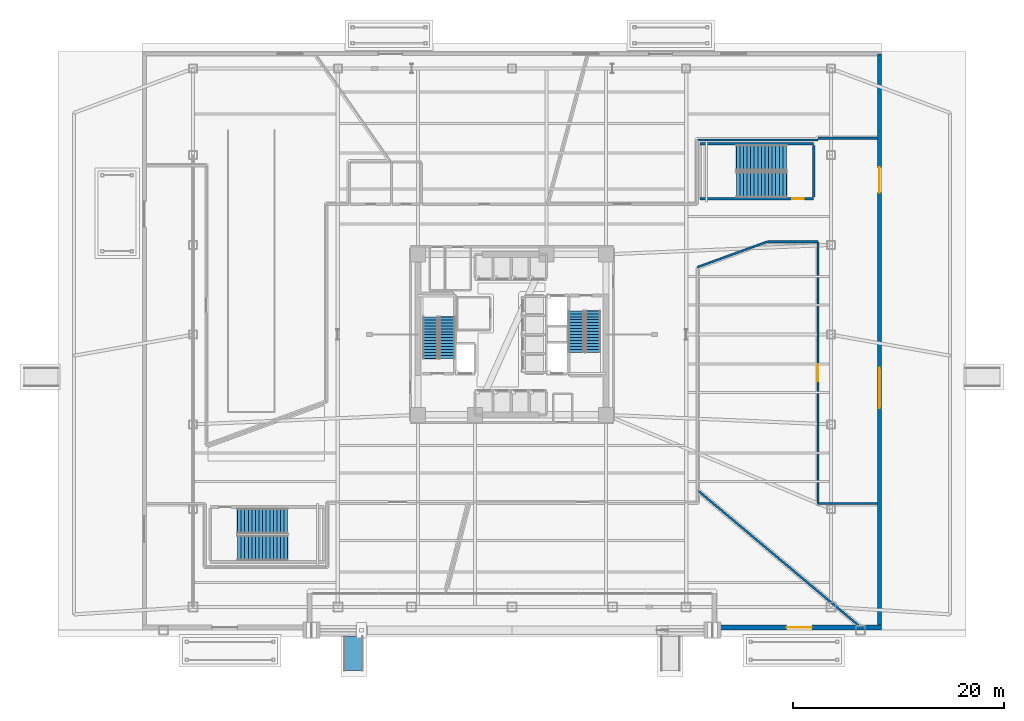
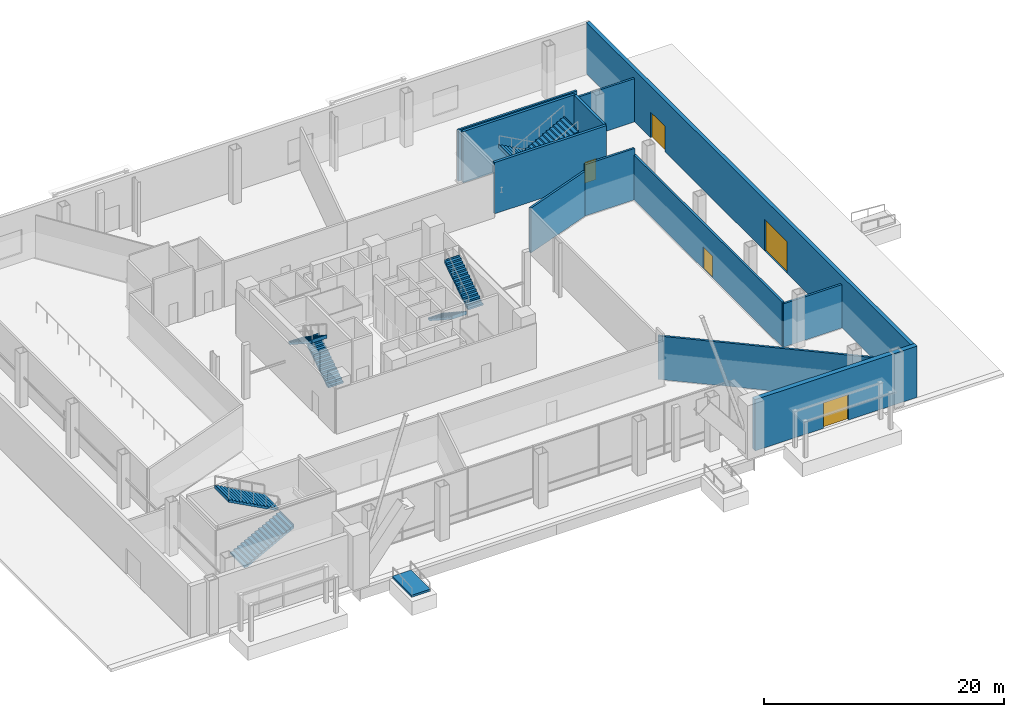
# One storey, part 18 of 27: 12 walls, 8 stair flights, 5 doors, 1 ramp flight, 5 openings, 5 elements without a shape of their own.
"""IFC4 building model written with IfcOpenShell, lengths in metres."""

from ifc_helpers import new_model, si_unit, direction, frame, frame_2d, origin, place, context, subcontext, project, spatial, polyline, rectangle, outline, extrude, material, layer, layer_set, type_object, element, fill, aggregate, save


model = new_model("IFC4")

# Units and contexts
model_context = context("Model", 3, precision=1e-05, world=origin(), true_north=direction((0.0, 1.0)))
body_context = subcontext(model_context, "Body", "Model", "MODEL_VIEW")
ifc_project = project(units=[si_unit("LENGTHUNIT", "METRE"), si_unit("AREAUNIT", "SQUARE_METRE"), si_unit("VOLUMEUNIT", "CUBIC_METRE"), si_unit("PLANEANGLEUNIT", "RADIAN"), si_unit("MASSUNIT", "GRAM", prefix="KILO")], contexts=[model_context])

# Site, building, storey
site_placement = place(None, origin())
site = spatial("IfcSite", under=ifc_project, at=site_placement, CompositionType="ELEMENT")
building_placement = place(site_placement, origin())
building = spatial("IfcBuilding", under=site, at=building_placement, Name="Tharavind Bronze Gate", CompositionType="ELEMENT")
storey_placement = place(building_placement, origin())
storey = spatial("IfcBuildingStorey", under=building, at=storey_placement, Name="L00", CompositionType="ELEMENT", Elevation=0.0)

# Wall, openings, doors
ifc_material_1 = material(Name="Concrete C40/50", Category="concrete")
ifc_layer_1 = layer(ifc_material_1, 0.35009765625)
ifc_layer_set_1 = layer_set([ifc_layer_1], Name="Concrete C40/50")
wall_type_1 = type_object("IfcWallType", Name="EXTERIOR SPANDREL WALL 350", PredefinedType="STANDARD", material=ifc_layer_set_1)
wall_1_placement = place(storey_placement, frame((34.800048828125, -27.75, 0.0), z_axis=(0.0, 0.0, 1.0), x_axis=(0.0, 1.0, 0.0)))
wall_1 = element("IfcWall", 1, at=wall_1_placement, inside=storey, type_object=wall_type_1, Name="L00 podium east facade wall", PredefinedType="STANDARD", context=body_context, shape_type="SweptSolid", body=[
    extrude(rectangle(XDim=54.35009765625, YDim=0.35009765625, at=frame_2d((27.175048828125, 0.0))), origin(), (0.0, 0.0, 1.0), 5.219970703125),
])
opening_1_placement = place(wall_1_placement, frame((20.800048828125, 0.0, 0.0)))
opening_1 = element("IfcOpeningElement", 2, at=opening_1_placement, cuts=wall_1, Name="Opening ED06", PredefinedType="OPENING", context=body_context, shape_type="SweptSolid", body=[
    extrude(rectangle(XDim=3.800048828125, YDim=3.199951171875, at=frame_2d((1.89990234375, 1.60009765625))), frame((0.0, 0.185048828125, 0.0), z_axis=(0.0, -1.0, 0.0), x_axis=(1.0, 0.0, 0.0)), (0.0, 0.0, 1.0), 0.37009765625),
])
opening_2_placement = place(wall_1_placement, frame((41.199951171875, 0.0, 0.0)))
opening_2 = element("IfcOpeningElement", 3, at=opening_2_placement, cuts=wall_1, Name="Opening ED01", PredefinedType="OPENING", context=body_context, shape_type="SweptSolid", body=[
    extrude(rectangle(XDim=2.39990234375, YDim=2.60009765625, at=frame_2d((1.199951171875, 1.300048828125))), frame((0.0, 0.185048828125, 0.0), z_axis=(0.0, -1.0, 0.0), x_axis=(1.0, 0.0, 0.0)), (0.0, 0.0, 1.0), 0.37009765625),
])
ifc_material_2 = material(Name="Bronze Aluminium & Toughened Glass", Category="aluminium")
door_type_1 = type_object("IfcDoorType", Name="BRONZE DOUBLE ENTRANCE DOOR 2400X2600", OperationType="DOUBLE_DOOR_DOUBLE_SWING", PredefinedType="DOOR", material=ifc_material_2)
door_1_placement = place(opening_2_placement, frame((2.39990234375, 0.0, 0.0), z_axis=(0.0, 0.0, 1.0), x_axis=(-1.0, 0.0, 0.0)))
door_1 = element("IfcDoor", 4, at=door_1_placement, inside=storey, type_object=door_type_1, Name="East stair ST4 final discharge exit door", OperationType="DOUBLE_DOOR_DOUBLE_SWING", OverallHeight=2.60009765625, OverallWidth=2.39990234375, PredefinedType="DOOR", context=body_context, shape_type="SweptSolid", body=[
    extrude(rectangle(XDim=2.39990234375, YDim=2.60009765625, at=frame_2d((1.199951171875, 1.300048828125))), frame((0.0, 0.02490234375, 0.0), z_axis=(0.0, -1.0, 0.0), x_axis=(1.0, 0.0, 0.0)), (0.0, 0.0, 1.0), 0.050048828125),
])
fill(opening_2, door_1)
door_type_2 = type_object("IfcDoorType", Name="VEHICLE ROLLER SHUTTER GATE 3800X3200", OperationType="ROLLINGUP", PredefinedType="GATE", material=ifc_material_2)
door_2_placement = place(opening_1_placement, origin())
door_2 = element("IfcDoor", 5, at=door_2_placement, inside=storey, type_object=door_type_2, Name="East service ramp vehicle roller gate", OperationType="ROLLINGUP", OverallHeight=3.199951171875, OverallWidth=3.800048828125, PredefinedType="GATE", context=body_context, shape_type="SweptSolid", body=[
    extrude(rectangle(XDim=3.800048828125, YDim=3.199951171875, at=frame_2d((1.89990234375, 1.60009765625))), frame((0.0, 0.02490234375, 0.0), z_axis=(0.0, -1.0, 0.0), x_axis=(1.0, 0.0, 0.0)), (0.0, 0.0, 1.0), 0.050048828125),
])
fill(opening_1, door_2)

# Wall, opening, door
ifc_material_3 = material(Name="Concrete C50/60", Category="concrete")
ifc_layer_2 = layer(ifc_material_3, 0.449951171875)
ifc_layer_set_2 = layer_set([ifc_layer_2], Name="Concrete C50/60")
wall_type_2 = type_object("IfcWallType", Name="EXTERIOR SPANDREL WALL 450", PredefinedType="STANDARD", material=ifc_layer_set_2)
wall_2_placement = place(storey_placement, frame((19.39990234375, -27.75, 0.0), z_axis=(0.0, 0.0, 1.0), x_axis=(1.0, 0.0, 0.0)))
wall_2 = element("IfcWall", 6, at=wall_2_placement, inside=storey, type_object=wall_type_2, Name="L00 south portal east flank wall", PredefinedType="STANDARD", context=body_context, shape_type="SweptSolid", body=[
    extrude(rectangle(XDim=15.60009765625, YDim=0.449951171875, at=frame_2d((7.800048828125, 0.0))), origin(), (0.0, 0.0, 1.0), 5.219970703125),
])
opening_3_placement = place(wall_2_placement, frame((6.60009765625, 0.0, 0.0)))
opening_3 = element("IfcOpeningElement", 7, at=opening_3_placement, cuts=wall_2, Name="Opening ED01", PredefinedType="OPENING", context=body_context, shape_type="SweptSolid", body=[
    extrude(rectangle(XDim=2.39990234375, YDim=2.60009765625, at=frame_2d((1.199951171875, 1.300048828125))), frame((0.0, 0.23509765625, 0.0), z_axis=(0.0, -1.0, 0.0), x_axis=(1.0, 0.0, 0.0)), (0.0, 0.0, 1.0), 0.469951171875),
])
door_3_placement = place(opening_3_placement, frame((2.39990234375, 0.0, 0.0), z_axis=(0.0, 0.0, 1.0), x_axis=(-1.0, 0.0, 0.0)))
door_3 = element("IfcDoor", 8, at=door_3_placement, inside=storey, type_object=door_type_1, Name="South east arrival portal entrance door", OperationType="DOUBLE_DOOR_DOUBLE_SWING", OverallHeight=2.60009765625, OverallWidth=2.39990234375, PredefinedType="DOOR", context=body_context, shape_type="SweptSolid", body=[
    extrude(rectangle(XDim=2.39990234375, YDim=2.60009765625, at=frame_2d((1.199951171875, 1.300048828125))), frame((0.0, 0.02490234375, 0.0), z_axis=(0.0, -1.0, 0.0), x_axis=(1.0, 0.0, 0.0)), (0.0, 0.0, 1.0), 0.050048828125),
])
fill(opening_3, door_3)

# Walls
ifc_material_4 = material(Name="Aerated Concrete Block", Category="concrete")
ifc_layer_3 = layer(ifc_material_4, 0.199951171875)
ifc_layer_set_3 = layer_set([ifc_layer_3], Name="Aerated Concrete Block")
wall_type_3 = type_object("IfcWallType", Name="FIRE RATED PARTITION 200", PredefinedType="PARTITIONING", material=ifc_layer_set_3)
wall_3_placement = place(storey_placement, frame((34.6201171875, 18.60009765625, 0.0), z_axis=(0.0, 0.0, 1.0), x_axis=(-1.0, 0.0, 0.0)))
element("IfcWall", 9, at=wall_3_placement, inside=storey, type_object=wall_type_3, Name="L00 East Colonnade Retail Shop partition", PredefinedType="PARTITIONING", context=body_context, shape_type="SweptSolid", body=[
    extrude(rectangle(XDim=5.61962890625, YDim=0.199951171875, at=frame_2d((2.809814453125, 0.0))), origin(), (0.0, 0.0, 1.0), 4.4150390625),
])
wall_4_placement = place(storey_placement, frame((28.97509765625, 18.449951171875, 0.0), z_axis=(0.0, 0.0, 1.0), x_axis=(-1.0, 0.0, 0.0)))
element("IfcWall", 10, at=wall_4_placement, inside=storey, type_object=wall_type_3, Name="L00 East Colonnade Retail Shop partition", PredefinedType="PARTITIONING", context=body_context, shape_type="SweptSolid", body=[
    extrude(rectangle(XDim=11.424560546875, YDim=0.199951171875, at=frame_2d((5.71240234375, 0.0))), origin(), (0.0, 0.0, 1.0), 5.219970703125),
])
wall_5_placement = place(storey_placement, frame((17.655029296875, -14.814208984375, 0.0), z_axis=(0.0, 0.0, 1.0), x_axis=(0.766042237416, -0.642790238332, 0.0)))
element("IfcWall", 11, at=wall_5_placement, inside=storey, type_object=wall_type_3, Name="L00 Security Control Room partition", PredefinedType="PARTITIONING", context=body_context, shape_type="SweptSolid", body=[
    extrude(rectangle(XDim=19.7666015625, YDim=0.199951171875, at=frame_2d((9.88330078125, 0.0))), origin(), (0.0, 0.0, 1.0), 4.4150390625),
])
wall_6_placement = place(storey_placement, frame((17.56640625, 6.393798828125, 0.0), z_axis=(0.0, 0.0, 1.0), x_axis=(0.939694031907, 0.342016266278, 0.0)))
element("IfcWall", 12, at=wall_6_placement, inside=storey, type_object=wall_type_3, Name="L00 East Colonnade Retail Shop partition", PredefinedType="PARTITIONING", context=body_context, shape_type="SweptSolid", body=[
    extrude(rectangle(XDim=7.03125, YDim=0.199951171875, at=frame_2d((3.515625, 0.0))), origin(), (0.0, 0.0, 1.0), 4.56494140625),
])
wall_7_placement = place(storey_placement, frame((24.18212890625, 8.800048828125, 0.0), z_axis=(0.0, 0.0, 1.0), x_axis=(1.0, 0.0, 0.0)))
element("IfcWall", 13, at=wall_7_placement, inside=storey, type_object=wall_type_3, Name="L00 East Colonnade Retail Shop partition", PredefinedType="PARTITIONING", context=body_context, shape_type="SweptSolid", body=[
    extrude(rectangle(XDim=4.79296875, YDim=0.199951171875, at=frame_2d((2.396484375, 0.0))), origin(), (0.0, 0.0, 1.0), 5.219970703125),
])

# Wall, opening, door
wall_8_placement = place(storey_placement, frame((29.0, 8.77490234375, 0.0), z_axis=(0.0, 0.0, 1.0), x_axis=(0.0, -1.0, 0.0)))
wall_8 = element("IfcWall", 14, at=wall_8_placement, inside=storey, type_object=wall_type_3, Name="L00 East Colonnade Retail Shop partition", PredefinedType="PARTITIONING", context=body_context, shape_type="SweptSolid", body=[
    extrude(rectangle(XDim=24.7744140625, YDim=0.199951171875, at=frame_2d((12.38720703125, 0.0))), origin(), (0.0, 0.0, 1.0), 4.56494140625),
])
opening_4_placement = place(wall_8_placement, frame((11.5869140625, 0.0, 0.0)))
opening_4 = element("IfcOpeningElement", 15, at=opening_4_placement, cuts=wall_8, Name="Opening ID02", PredefinedType="OPENING", context=body_context, shape_type="SweptSolid", body=[
    extrude(rectangle(XDim=1.60009765625, YDim=2.199951171875, at=frame_2d((0.800048828125, 1.10009765625))), frame((0.0, 0.11009765625, 0.0), z_axis=(0.0, -1.0, 0.0), x_axis=(1.0, 0.0, 0.0)), (0.0, 0.0, 1.0), 0.219951171875),
])
ifc_material_5 = material(Name="Fire-Rated Bronze Steel", Category="steel")
door_type_3 = type_object("IfcDoorType", Name="LOBBY DOUBLE FIRE DOOR 1600X2200", OperationType="DOUBLE_DOOR_SINGLE_SWING", PredefinedType="DOOR", material=ifc_material_5)
door_4_placement = place(opening_4_placement, frame((1.60009765625, 0.0, 0.0), z_axis=(0.0, 0.0, 1.0), x_axis=(-1.0, 0.0, 0.0)))
door_4 = element("IfcDoor", 16, at=door_4_placement, inside=storey, type_object=door_type_3, Name="L00 East Colonnade Retail Shop door", OperationType="DOUBLE_DOOR_SINGLE_SWING", OverallHeight=2.199951171875, OverallWidth=1.60009765625, PredefinedType="DOOR", context=body_context, shape_type="SweptSolid", body=[
    extrude(rectangle(XDim=1.60009765625, YDim=2.199951171875, at=frame_2d((0.800048828125, 1.10009765625))), frame((0.0, 0.02490234375, 0.0), z_axis=(0.0, -1.0, 0.0), x_axis=(1.0, 0.0, 0.0)), (0.0, 0.0, 1.0), 0.050048828125),
])
fill(opening_4, door_4)

# Wall
wall_9_placement = place(storey_placement, frame((29.00048828125, -16.0, 0.0), z_axis=(0.0, 0.0, 1.0), x_axis=(1.0, 0.0, 0.0)))
element("IfcWall", 17, at=wall_9_placement, inside=storey, type_object=wall_type_3, Name="L00 East Colonnade Retail Shop partition", PredefinedType="PARTITIONING", context=body_context, shape_type="SweptSolid", body=[
    extrude(rectangle(XDim=5.61962890625, YDim=0.199951171875, at=frame_2d((2.809814453125, 0.0))), origin(), (0.0, 0.0, 1.0), 4.4150390625),
])

# Wall, opening, door
ifc_layer_4 = layer(ifc_material_3, 0.25)
ifc_layer_set_4 = layer_set([ifc_layer_4], Name="Concrete C50/60")
wall_type_4 = type_object("IfcWallType", Name="RC CORE SHEAR WALL 250", PredefinedType="SHEAR", material=ifc_layer_set_4)
wall_10_placement = place(storey_placement, frame((17.800048828125, 12.8701171875, 0.0), z_axis=(0.0, 0.0, 1.0), x_axis=(1.0, 0.0, 0.0)))
wall_10 = element("IfcWall", 18, at=wall_10_placement, inside=storey, type_object=wall_type_4, Name="L00 ST4 south wall", PredefinedType="SHEAR", context=body_context, shape_type="SweptSolid", body=[
    extrude(rectangle(XDim=10.780029296875, YDim=0.25, at=frame_2d((5.39013671875, 0.0))), origin(), (0.0, 0.0, 1.0), 5.219970703125),
])
opening_5_placement = place(wall_10_placement, frame((8.75, 0.0, 0.0)))
opening_5 = element("IfcOpeningElement", 19, at=opening_5_placement, cuts=wall_10, Name="Opening ID01", PredefinedType="OPENING", context=body_context, shape_type="SweptSolid", body=[
    extrude(rectangle(XDim=1.10009765625, YDim=2.14990234375, at=frame_2d((0.550048828125, 1.074951171875))), frame((0.0, 0.135, 0.0), z_axis=(0.0, -1.0, 0.0), x_axis=(1.0, 0.0, 0.0)), (0.0, 0.0, 1.0), 0.27),
])
ifc_material_6 = material(Name="Fire-Rated Steel", Category="steel")
door_type_4 = type_object("IfcDoorType", Name="STAIR CORE FIRE DOOR 1100X2150", OperationType="SINGLE_SWING_LEFT", PredefinedType="DOOR", material=ifc_material_6)
door_5_placement = place(opening_5_placement, origin())
door_5 = element("IfcDoor", 20, at=door_5_placement, inside=storey, type_object=door_type_4, Name="L00 podium stair ST4 fire door", OperationType="SINGLE_SWING_LEFT", OverallHeight=2.14990234375, OverallWidth=1.10009765625, PredefinedType="DOOR", context=body_context, shape_type="SweptSolid", body=[
    extrude(rectangle(XDim=1.10009765625, YDim=2.14990234375, at=frame_2d((0.550048828125, 1.074951171875))), frame((0.0, 0.02490234375, 0.0), z_axis=(0.0, -1.0, 0.0), x_axis=(1.0, 0.0, 0.0)), (0.0, 0.0, 1.0), 0.050048828125),
])
fill(opening_5, door_5)

# Walls
wall_11_placement = place(storey_placement, frame((17.800048828125, 18.080078125, 0.0), z_axis=(0.0, 0.0, 1.0), x_axis=(1.0, 0.0, 0.0)))
element("IfcWall", 21, at=wall_11_placement, inside=storey, type_object=wall_type_4, Name="L00 ST4 north wall", PredefinedType="SHEAR", context=body_context, shape_type="SweptSolid", body=[
    extrude(rectangle(XDim=10.780029296875, YDim=0.25, at=frame_2d((5.39013671875, 0.0))), origin(), (0.0, 0.0, 1.0), 5.219970703125),
])
wall_12_placement = place(storey_placement, frame((28.580078125, 13.02001953125, 0.0), z_axis=(0.0, 0.0, 1.0), x_axis=(0.0, 1.0, 0.0)))
element("IfcWall", 22, at=wall_12_placement, inside=storey, type_object=wall_type_4, Name="L00 ST4 east wall", PredefinedType="SHEAR", context=body_context, shape_type="SweptSolid", body=[
    extrude(rectangle(XDim=4.909912109375, YDim=0.25, at=frame_2d((2.455078125, 0.0))), origin(), (0.0, 0.0, 1.0), 5.219970703125),
])

# Stair, stair flights
stair_type_1 = type_object("IfcStairType", Name="CORE HALF TURN STAIR 1450", PredefinedType="HALF_TURN_STAIR", material=ifc_material_1)
stair_1_placement = place(storey_placement, origin())
stair_1 = element("IfcStair", 23, at=stair_1_placement, inside=storey, type_object=stair_type_1, Name="L00 Protected Exit Stair ST1", PredefinedType="HALF_TURN_STAIR")
stair_flight_type_1 = type_object("IfcStairFlightType", Name="CORE STAIR FLIGHT 1450", PredefinedType="STRAIGHT", material=ifc_material_1)
stair_flight_1_placement = place(storey_placement, frame((-6.125, -2.25, 0.0), z_axis=(0.0, 0.0, 1.0), x_axis=(0.0, 1.0, 0.0)))
stair_flight_1 = element("IfcStairFlight", 24, at=stair_flight_1_placement, type_object=stair_flight_type_1, Name="ST1 flight 1", NumberOfRisers=15, NumberOfTreads=14, PredefinedType="STRAIGHT", RiserHeight=0.183333333, TreadLength=0.28, context=body_context, shape_type="SweptSolid", body=[
    extrude(outline(polyline([(0.0, 0.0), (0.0, 0.183349609375), (0.280029296875, 0.183349609375), (0.280029296875, 0.36669921875), (0.56005859375, 0.36669921875), (0.56005859375, 0.550048828125), (0.840087890625, 0.550048828125), (0.840087890625, 0.7333984375), (1.1201171875, 0.7333984375), (1.1201171875, 0.916748046875), (1.39990234375, 0.916748046875), (1.39990234375, 1.10009765625), (1.679931640625, 1.10009765625), (1.679931640625, 1.283447265625), (1.9599609375, 1.283447265625), (1.9599609375, 1.466552734375), (2.239990234375, 1.466552734375), (2.239990234375, 1.64990234375), (2.52001953125, 1.64990234375), (2.52001953125, 1.833251953125), (2.800048828125, 1.833251953125), (2.800048828125, 2.0166015625), (3.080078125, 2.0166015625), (3.080078125, 2.199951171875), (3.360107421875, 2.199951171875), (3.360107421875, 2.38330078125), (3.639892578125, 2.38330078125), (3.639892578125, 2.566650390625), (3.919921875, 2.566650390625), (3.919921875, 2.75), (3.9560546875, 2.75), (3.9560546875, 2.387451171875), (0.273681640625, 0.0), (0.0, 0.0)])), frame((0.0, 0.72509765625, 0.0), z_axis=(0.0, -1.0, 0.0), x_axis=(1.0, 0.0, 0.0)), (0.0, 0.0, 1.0), 1.449951171875),
])
stair_flight_2_placement = place(storey_placement, frame((-7.72509765625, 1.669921875, 2.75), z_axis=(0.0, 0.0, 1.0), x_axis=(0.0, -1.0, 0.0)))
stair_flight_2 = element("IfcStairFlight", 25, at=stair_flight_2_placement, type_object=stair_flight_type_1, Name="ST1 flight 2", NumberOfRisers=15, NumberOfTreads=14, PredefinedType="STRAIGHT", RiserHeight=0.183333333, TreadLength=0.28, context=body_context, shape_type="SweptSolid", body=[
    extrude(outline(polyline([(0.0, 0.0), (0.0, 0.183349609375), (0.280029296875, 0.183349609375), (0.280029296875, 0.36669921875), (0.56005859375, 0.36669921875), (0.56005859375, 0.550048828125), (0.840087890625, 0.550048828125), (0.840087890625, 0.7333984375), (1.1201171875, 0.7333984375), (1.1201171875, 0.916748046875), (1.39990234375, 0.916748046875), (1.39990234375, 1.10009765625), (1.679931640625, 1.10009765625), (1.679931640625, 1.283447265625), (1.9599609375, 1.283447265625), (1.9599609375, 1.466552734375), (2.239990234375, 1.466552734375), (2.239990234375, 1.64990234375), (2.52001953125, 1.64990234375), (2.52001953125, 1.833251953125), (2.800048828125, 1.833251953125), (2.800048828125, 2.0166015625), (3.080078125, 2.0166015625), (3.080078125, 2.199951171875), (3.360107421875, 2.199951171875), (3.360107421875, 2.38330078125), (3.639892578125, 2.38330078125), (3.639892578125, 2.566650390625), (3.919921875, 2.566650390625), (3.919921875, 2.75), (3.9560546875, 2.75), (3.9560546875, 2.387451171875), (0.273681640625, 0.0), (0.0, 0.0)])), frame((0.0, 0.72509765625, 0.0), z_axis=(0.0, -1.0, 0.0), x_axis=(1.0, 0.0, 0.0)), (0.0, 0.0, 1.0), 1.449951171875),
])
aggregate(stair_1, [stair_flight_1, stair_flight_2])

stair_2_placement = place(storey_placement, origin())
stair_2 = element("IfcStair", 26, at=stair_2_placement, inside=storey, type_object=stair_type_1, Name="L00 Protected Exit Stair ST2", PredefinedType="HALF_TURN_STAIR")
stair_flight_3_placement = place(storey_placement, frame((6.074951171875, 2.25, 0.0), z_axis=(0.0, 0.0, 1.0), x_axis=(0.0, -1.0, 0.0)))
stair_flight_3 = element("IfcStairFlight", 27, at=stair_flight_3_placement, type_object=stair_flight_type_1, Name="ST2 flight 1", NumberOfRisers=15, NumberOfTreads=14, PredefinedType="STRAIGHT", RiserHeight=0.183333333, TreadLength=0.28, context=body_context, shape_type="SweptSolid", body=[
    extrude(outline(polyline([(0.0, 0.0), (0.0, 0.183349609375), (0.280029296875, 0.183349609375), (0.280029296875, 0.36669921875), (0.56005859375, 0.36669921875), (0.56005859375, 0.550048828125), (0.840087890625, 0.550048828125), (0.840087890625, 0.7333984375), (1.1201171875, 0.7333984375), (1.1201171875, 0.916748046875), (1.39990234375, 0.916748046875), (1.39990234375, 1.10009765625), (1.679931640625, 1.10009765625), (1.679931640625, 1.283447265625), (1.9599609375, 1.283447265625), (1.9599609375, 1.466552734375), (2.239990234375, 1.466552734375), (2.239990234375, 1.64990234375), (2.52001953125, 1.64990234375), (2.52001953125, 1.833251953125), (2.800048828125, 1.833251953125), (2.800048828125, 2.0166015625), (3.080078125, 2.0166015625), (3.080078125, 2.199951171875), (3.360107421875, 2.199951171875), (3.360107421875, 2.38330078125), (3.639892578125, 2.38330078125), (3.639892578125, 2.566650390625), (3.919921875, 2.566650390625), (3.919921875, 2.75), (3.9560546875, 2.75), (3.9560546875, 2.387451171875), (0.273681640625, 0.0), (0.0, 0.0)])), frame((0.0, 0.72509765625, 0.0), z_axis=(0.0, -1.0, 0.0), x_axis=(1.0, 0.0, 0.0)), (0.0, 0.0, 1.0), 1.449951171875),
])
stair_flight_4_placement = place(storey_placement, frame((7.675048828125, -1.669921875, 2.75), z_axis=(0.0, 0.0, 1.0), x_axis=(0.0, 1.0, 0.0)))
stair_flight_4 = element("IfcStairFlight", 28, at=stair_flight_4_placement, type_object=stair_flight_type_1, Name="ST2 flight 2", NumberOfRisers=15, NumberOfTreads=14, PredefinedType="STRAIGHT", RiserHeight=0.183333333, TreadLength=0.28, context=body_context, shape_type="SweptSolid", body=[
    extrude(outline(polyline([(0.0, 0.0), (0.0, 0.183349609375), (0.280029296875, 0.183349609375), (0.280029296875, 0.36669921875), (0.56005859375, 0.36669921875), (0.56005859375, 0.550048828125), (0.840087890625, 0.550048828125), (0.840087890625, 0.7333984375), (1.1201171875, 0.7333984375), (1.1201171875, 0.916748046875), (1.39990234375, 0.916748046875), (1.39990234375, 1.10009765625), (1.679931640625, 1.10009765625), (1.679931640625, 1.283447265625), (1.9599609375, 1.283447265625), (1.9599609375, 1.466552734375), (2.239990234375, 1.466552734375), (2.239990234375, 1.64990234375), (2.52001953125, 1.64990234375), (2.52001953125, 1.833251953125), (2.800048828125, 1.833251953125), (2.800048828125, 2.0166015625), (3.080078125, 2.0166015625), (3.080078125, 2.199951171875), (3.360107421875, 2.199951171875), (3.360107421875, 2.38330078125), (3.639892578125, 2.38330078125), (3.639892578125, 2.566650390625), (3.919921875, 2.566650390625), (3.919921875, 2.75), (3.9560546875, 2.75), (3.9560546875, 2.387451171875), (0.273681640625, 0.0), (0.0, 0.0)])), frame((0.0, 0.72509765625, 0.0), z_axis=(0.0, -1.0, 0.0), x_axis=(1.0, 0.0, 0.0)), (0.0, 0.0, 1.0), 1.449951171875),
])
aggregate(stair_2, [stair_flight_3, stair_flight_4])

stair_type_2 = type_object("IfcStairType", Name="PODIUM HALF TURN STAIR 2400", PredefinedType="HALF_TURN_STAIR", material=ifc_material_1)
stair_3_placement = place(storey_placement, origin())
stair_3 = element("IfcStair", 29, at=stair_3_placement, inside=storey, type_object=stair_type_2, Name="L00 Protected Exit Stair ST3", PredefinedType="HALF_TURN_STAIR")
stair_flight_type_2 = type_object("IfcStairFlightType", Name="PODIUM STAIR FLIGHT 2400", PredefinedType="STRAIGHT", material=ifc_material_1)
stair_flight_5_placement = place(storey_placement, frame((-26.0, -20.199951171875, 0.0), z_axis=(0.0, 0.0, 1.0), x_axis=(1.0, 0.0, 0.0)))
stair_flight_5 = element("IfcStairFlight", 30, at=stair_flight_5_placement, type_object=stair_flight_type_2, Name="ST3 flight 1", NumberOfRisers=15, NumberOfTreads=14, PredefinedType="STRAIGHT", RiserHeight=0.183333333, TreadLength=0.34, context=body_context, shape_type="SweptSolid", body=[
    extrude(outline(polyline([(0.0, 0.0), (0.0, 0.183349609375), (0.340087890625, 0.183349609375), (0.340087890625, 0.36669921875), (0.679931640625, 0.36669921875), (0.679931640625, 0.550048828125), (1.02001953125, 0.550048828125), (1.02001953125, 0.7333984375), (1.360107421875, 0.7333984375), (1.360107421875, 0.916748046875), (1.699951171875, 0.916748046875), (1.699951171875, 1.10009765625), (2.0400390625, 1.10009765625), (2.0400390625, 1.283447265625), (2.3798828125, 1.283447265625), (2.3798828125, 1.466552734375), (2.719970703125, 1.466552734375), (2.719970703125, 1.64990234375), (3.06005859375, 1.64990234375), (3.06005859375, 1.833251953125), (3.39990234375, 1.833251953125), (3.39990234375, 2.0166015625), (3.739990234375, 2.0166015625), (3.739990234375, 2.199951171875), (4.080078125, 2.199951171875), (4.080078125, 2.38330078125), (4.419921875, 2.38330078125), (4.419921875, 2.566650390625), (4.760009765625, 2.566650390625), (4.760009765625, 2.75), (4.7958984375, 2.75), (4.7958984375, 2.396240234375), (0.31591796875, 0.0), (0.0, 0.0)])), frame((0.0, 1.199951171875, 0.0), z_axis=(0.0, -1.0, 0.0), x_axis=(1.0, 0.0, 0.0)), (0.0, 0.0, 1.0), 2.39990234375),
])
stair_flight_6_placement = place(storey_placement, frame((-21.239990234375, -17.64990234375, 2.75), z_axis=(0.0, 0.0, 1.0), x_axis=(-1.0, 0.0, 0.0)))
stair_flight_6 = element("IfcStairFlight", 31, at=stair_flight_6_placement, type_object=stair_flight_type_2, Name="ST3 flight 2", NumberOfRisers=15, NumberOfTreads=14, PredefinedType="STRAIGHT", RiserHeight=0.183333333, TreadLength=0.34, context=body_context, shape_type="SweptSolid", body=[
    extrude(outline(polyline([(0.0, 0.0), (0.0, 0.183349609375), (0.340087890625, 0.183349609375), (0.340087890625, 0.36669921875), (0.679931640625, 0.36669921875), (0.679931640625, 0.550048828125), (1.02001953125, 0.550048828125), (1.02001953125, 0.7333984375), (1.360107421875, 0.7333984375), (1.360107421875, 0.916748046875), (1.699951171875, 0.916748046875), (1.699951171875, 1.10009765625), (2.0400390625, 1.10009765625), (2.0400390625, 1.283447265625), (2.3798828125, 1.283447265625), (2.3798828125, 1.466552734375), (2.719970703125, 1.466552734375), (2.719970703125, 1.64990234375), (3.06005859375, 1.64990234375), (3.06005859375, 1.833251953125), (3.39990234375, 1.833251953125), (3.39990234375, 2.0166015625), (3.739990234375, 2.0166015625), (3.739990234375, 2.199951171875), (4.080078125, 2.199951171875), (4.080078125, 2.38330078125), (4.419921875, 2.38330078125), (4.419921875, 2.566650390625), (4.760009765625, 2.566650390625), (4.760009765625, 2.75), (4.7958984375, 2.75), (4.7958984375, 2.396240234375), (0.31591796875, 0.0), (0.0, 0.0)])), frame((0.0, 1.199951171875, 0.0), z_axis=(0.0, -1.0, 0.0), x_axis=(1.0, 0.0, 0.0)), (0.0, 0.0, 1.0), 2.39990234375),
])
aggregate(stair_3, [stair_flight_5, stair_flight_6])

stair_4_placement = place(storey_placement, origin())
stair_4 = element("IfcStair", 32, at=stair_4_placement, inside=storey, type_object=stair_type_2, Name="L00 Protected Exit Stair ST4", PredefinedType="HALF_TURN_STAIR")
stair_flight_7_placement = place(storey_placement, frame((26.0, 16.75, 0.0), z_axis=(0.0, 0.0, 1.0), x_axis=(-1.0, 0.0, 0.0)))
stair_flight_7 = element("IfcStairFlight", 33, at=stair_flight_7_placement, type_object=stair_flight_type_2, Name="ST4 flight 1", NumberOfRisers=15, NumberOfTreads=14, PredefinedType="STRAIGHT", RiserHeight=0.183333333, TreadLength=0.34, context=body_context, shape_type="SweptSolid", body=[
    extrude(outline(polyline([(0.0, 0.0), (0.0, 0.183349609375), (0.340087890625, 0.183349609375), (0.340087890625, 0.36669921875), (0.679931640625, 0.36669921875), (0.679931640625, 0.550048828125), (1.02001953125, 0.550048828125), (1.02001953125, 0.7333984375), (1.360107421875, 0.7333984375), (1.360107421875, 0.916748046875), (1.699951171875, 0.916748046875), (1.699951171875, 1.10009765625), (2.0400390625, 1.10009765625), (2.0400390625, 1.283447265625), (2.3798828125, 1.283447265625), (2.3798828125, 1.466552734375), (2.719970703125, 1.466552734375), (2.719970703125, 1.64990234375), (3.06005859375, 1.64990234375), (3.06005859375, 1.833251953125), (3.39990234375, 1.833251953125), (3.39990234375, 2.0166015625), (3.739990234375, 2.0166015625), (3.739990234375, 2.199951171875), (4.080078125, 2.199951171875), (4.080078125, 2.38330078125), (4.419921875, 2.38330078125), (4.419921875, 2.566650390625), (4.760009765625, 2.566650390625), (4.760009765625, 2.75), (4.7958984375, 2.75), (4.7958984375, 2.396240234375), (0.31591796875, 0.0), (0.0, 0.0)])), frame((0.0, 1.199951171875, 0.0), z_axis=(0.0, -1.0, 0.0), x_axis=(1.0, 0.0, 0.0)), (0.0, 0.0, 1.0), 2.39990234375),
])
stair_flight_8_placement = place(storey_placement, frame((21.239990234375, 14.199951171875, 2.75), z_axis=(0.0, 0.0, 1.0), x_axis=(1.0, 0.0, 0.0)))
stair_flight_8 = element("IfcStairFlight", 34, at=stair_flight_8_placement, type_object=stair_flight_type_2, Name="ST4 flight 2", NumberOfRisers=15, NumberOfTreads=14, PredefinedType="STRAIGHT", RiserHeight=0.183333333, TreadLength=0.34, context=body_context, shape_type="SweptSolid", body=[
    extrude(outline(polyline([(0.0, 0.0), (0.0, 0.183349609375), (0.340087890625, 0.183349609375), (0.340087890625, 0.36669921875), (0.679931640625, 0.36669921875), (0.679931640625, 0.550048828125), (1.02001953125, 0.550048828125), (1.02001953125, 0.7333984375), (1.360107421875, 0.7333984375), (1.360107421875, 0.916748046875), (1.699951171875, 0.916748046875), (1.699951171875, 1.10009765625), (2.0400390625, 1.10009765625), (2.0400390625, 1.283447265625), (2.3798828125, 1.283447265625), (2.3798828125, 1.466552734375), (2.719970703125, 1.466552734375), (2.719970703125, 1.64990234375), (3.06005859375, 1.64990234375), (3.06005859375, 1.833251953125), (3.39990234375, 1.833251953125), (3.39990234375, 2.0166015625), (3.739990234375, 2.0166015625), (3.739990234375, 2.199951171875), (4.080078125, 2.199951171875), (4.080078125, 2.38330078125), (4.419921875, 2.38330078125), (4.419921875, 2.566650390625), (4.760009765625, 2.566650390625), (4.760009765625, 2.75), (4.7958984375, 2.75), (4.7958984375, 2.396240234375), (0.31591796875, 0.0), (0.0, 0.0)])), frame((0.0, 1.199951171875, 0.0), z_axis=(0.0, -1.0, 0.0), x_axis=(1.0, 0.0, 0.0)), (0.0, 0.0, 1.0), 2.39990234375),
])
aggregate(stair_4, [stair_flight_7, stair_flight_8])

# Ramp, ramp flight
ramp_type = type_object("IfcRampType", Name="ACCESSIBLE PEDESTRIAN RAMP", PredefinedType="STRAIGHT_RUN_RAMP", material=ifc_material_1)
ramp_placement = place(storey_placement, origin())
ramp = element("IfcRamp", 35, at=ramp_placement, inside=storey, type_object=ramp_type, Name="Accessible south arrival ramp AR1", PredefinedType="STRAIGHT_RUN_RAMP")
ifc_layer_5 = layer(ifc_material_1, 0.199951171875)
ifc_layer_set_5 = layer_set([ifc_layer_5], Name="Concrete C40/50")
ramp_flight_type = type_object("IfcRampFlightType", Name="ACCESSIBLE RAMP FLIGHT 200", PredefinedType="STRAIGHT", material=ifc_layer_set_5)
ramp_flight_placement = place(storey_placement, frame((-15.0, -31.800048828125, -0.219970703125), z_axis=(0.0, 0.0, 1.0), x_axis=(0.0, 1.0, 0.0)))
ramp_flight = element("IfcRampFlight", 36, at=ramp_flight_placement, type_object=ramp_flight_type, Name="Accessible south arrival ramp AR1 flight 1", PredefinedType="STRAIGHT", context=body_context, shape_type="SweptSolid", body=[
    extrude(outline(polyline([(0.0, 0.0), (0.219970703125, 0.0), (2.97998046875, 0.02001953125), (3.199951171875, 0.02001953125), (3.199951171875, 0.219970703125), (0.0, 0.199951171875), (0.0, 0.0)])), frame((0.0, 0.89990234375, 0.0), z_axis=(0.0, -1.0, 0.0), x_axis=(1.0, 0.0, 0.0)), (0.0, 0.0, 1.0), 1.7998046875),
])
aggregate(ramp, [ramp_flight])

save(model, "model.ifc")
